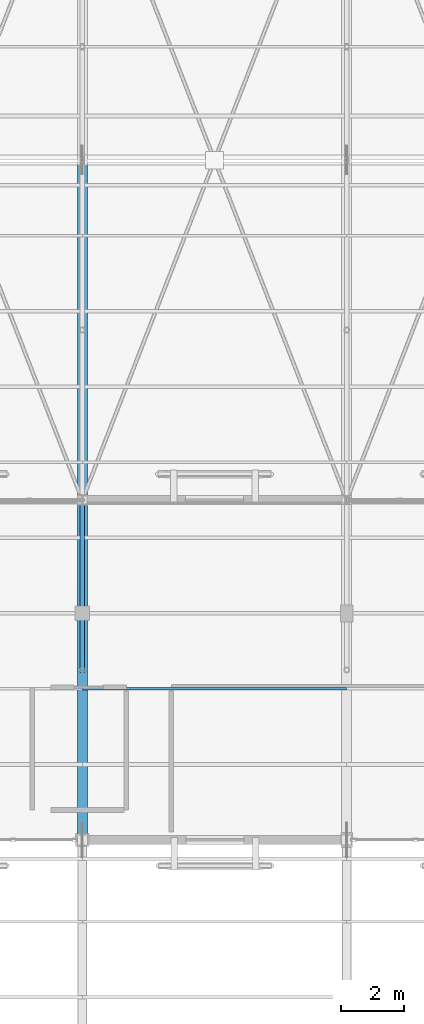
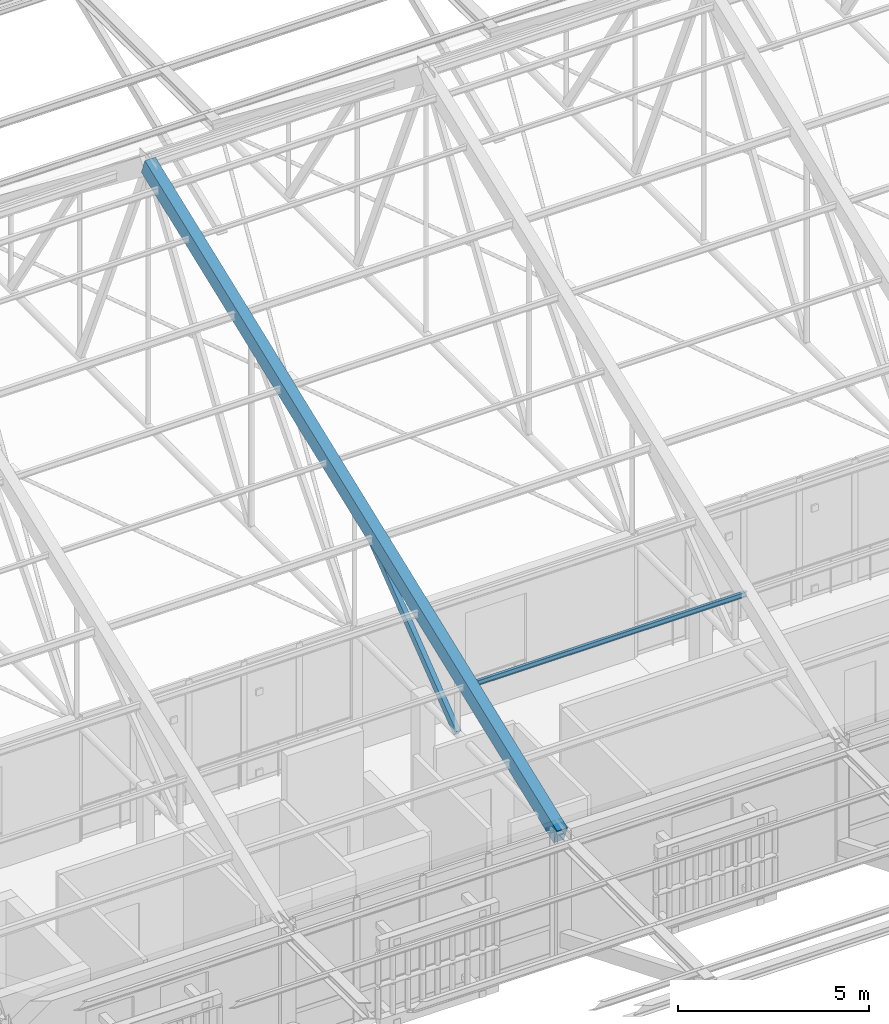
# One storey, part 87 of 217: 3 members.
"""IFC4 building model written with IfcOpenShell, lengths in metres."""

from ifc_helpers import new_model, si_unit, direction, frame, origin, origin_2d, place, context, subcontext, project, spatial, rectangle, hollow_rectangle, i_section, extrude, material, material_profile, profile_set, type_object, element, save


model = new_model("IFC4")

# Units and contexts
model_context = context("Model", 3, precision=1e-05, world=origin(), true_north=direction((0.0, 1.0)))
body_context = subcontext(model_context, "Body", "Model", "MODEL_VIEW")
ifc_project = project(units=[si_unit("LENGTHUNIT", "METRE"), si_unit("AREAUNIT", "SQUARE_METRE"), si_unit("VOLUMEUNIT", "CUBIC_METRE"), si_unit("PLANEANGLEUNIT", "RADIAN"), si_unit("MASSUNIT", "GRAM", prefix="KILO")], contexts=[model_context])

# Site, building, storey
site_placement = place(None, origin())
site = spatial("IfcSite", under=ifc_project, at=site_placement, CompositionType="ELEMENT")
building_placement = place(site_placement, origin())
building = spatial("IfcBuilding", under=site, at=building_placement, Name="Mazaris Harbour Polytechnic", CompositionType="ELEMENT")
storey_placement = place(building_placement, frame((0.0, 0.0, 9.60009765625)))
storey = spatial("IfcBuildingStorey", under=building, at=storey_placement, Name="L02", CompositionType="ELEMENT", Elevation=9.60009765625)

# Members
ifc_material_1 = material(Name="Glulam GL32h", Category="wood")
ifc_material_profile_1 = material_profile(ifc_material_1, rectangle(XDim=0.320068359375, YDim=0.52001953125, at=origin_2d()), Name="RECT320x520")
ifc_profile_set_1 = profile_set([ifc_material_profile_1], Name="Glulam GL32h")
member_type_1 = type_object("IfcMemberType", Name="Glulam Top Chord 320x520", PredefinedType="CHORD", material=ifc_profile_set_1)
member_1_placement = place(storey_placement, frame((79.199951171875, 75.60009765625, 3.75), z_axis=(0.0, 0.93273343771, 0.360566684786), x_axis=(-1.0, 0.0, 0.0)))
element("IfcMember", 1, at=member_1_placement, inside=storey, type_object=member_type_1, Name="Truss 4 South Glulam Top Chord", PredefinedType="CHORD", context=body_context, shape_type="SweptSolid", body=[
    extrude(rectangle(XDim=0.320068359375, YDim=0.52001953125, at=origin_2d()), origin(), (0.0, 0.0, 1.0), 23.157470703125),
])
ifc_material_2 = material(Name="Steel S355", Category="steel")
ifc_material_profile_2 = material_profile(ifc_material_2, i_section(OverallWidth=0.08203125, OverallDepth=0.159912109375, WebThickness=0.0048828125, FlangeThickness=0.00732421875, FilletRadius=0.009033203125, at=origin_2d()), Name="IPE 160")
ifc_profile_set_2 = profile_set([ifc_material_profile_2], Name="Steel S355")
member_type_2 = type_object("IfcMemberType", Name="Steel Purlin IPE160", PredefinedType="PURLIN", material=ifc_profile_set_2)
member_2_placement = place(storey_placement, frame((79.199951171875, 80.39990234375, 5.637939453125), z_axis=(1.0, 0.0, 0.0), x_axis=(0.0, 1.0, 0.0)))
element("IfcMember", 2, at=member_2_placement, inside=storey, type_object=member_type_2, Name="V1 Roof Purlin S-69", PredefinedType="PURLIN", context=body_context, shape_type="SweptSolid", body=[
    extrude(i_section(OverallWidth=0.08203125, OverallDepth=0.159912109375, WebThickness=0.0048828125, FlangeThickness=0.00732421875, FilletRadius=0.009033203125, at=origin_2d()), origin(), (0.0, 0.0, 1.0), 8.400146484375),
])
ifc_material_3 = material(Name="Steel S355", Category="steel")
ifc_material_profile_3 = material_profile(ifc_material_3, hollow_rectangle(XDim=0.139892578125, YDim=0.239990234375, WallThickness=0.010009765625, at=origin_2d()), Name="RHS 140x240x10.0")
ifc_profile_set_3 = profile_set([ifc_material_profile_3], Name="Steel S355")
member_type_3 = type_object("IfcMemberType", Name="Steel Truss Diagonal RHS140x240", PredefinedType="BRACE", material=ifc_profile_set_3)
member_3_placement = place(storey_placement, frame((79.199951171875, 81.0, 3.75), z_axis=(0.0, 0.791132369746, 0.611644973445), x_axis=(-1.0, 0.0, 0.0)))
element("IfcMember", 3, at=member_3_placement, inside=storey, type_object=member_type_3, Name="Truss 4 Web Diagonal S2", PredefinedType="BRACE", context=body_context, shape_type="SweptSolid", body=[
    extrude(hollow_rectangle(XDim=0.139892578125, YDim=0.239990234375, WallThickness=0.010009765625, at=origin_2d()), origin(), (0.0, 0.0, 1.0), 6.825439453125),
])

save(model, "model.ifc")
